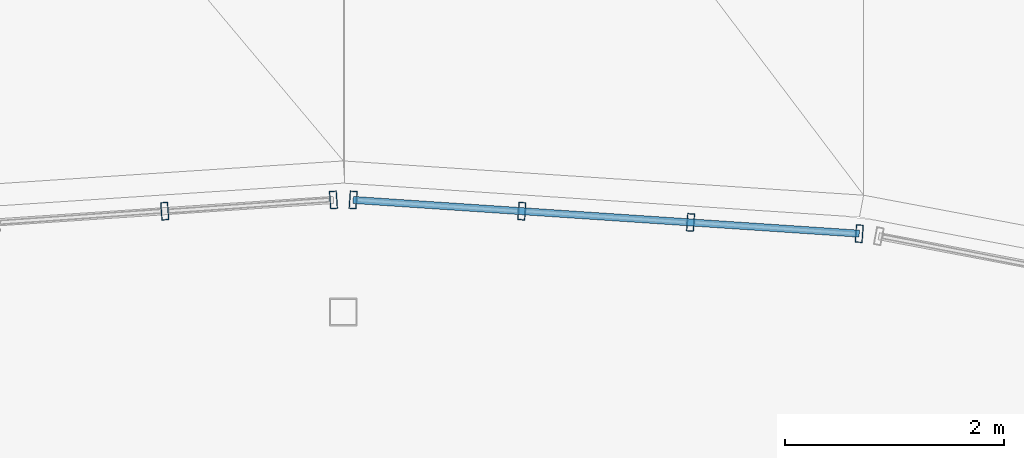
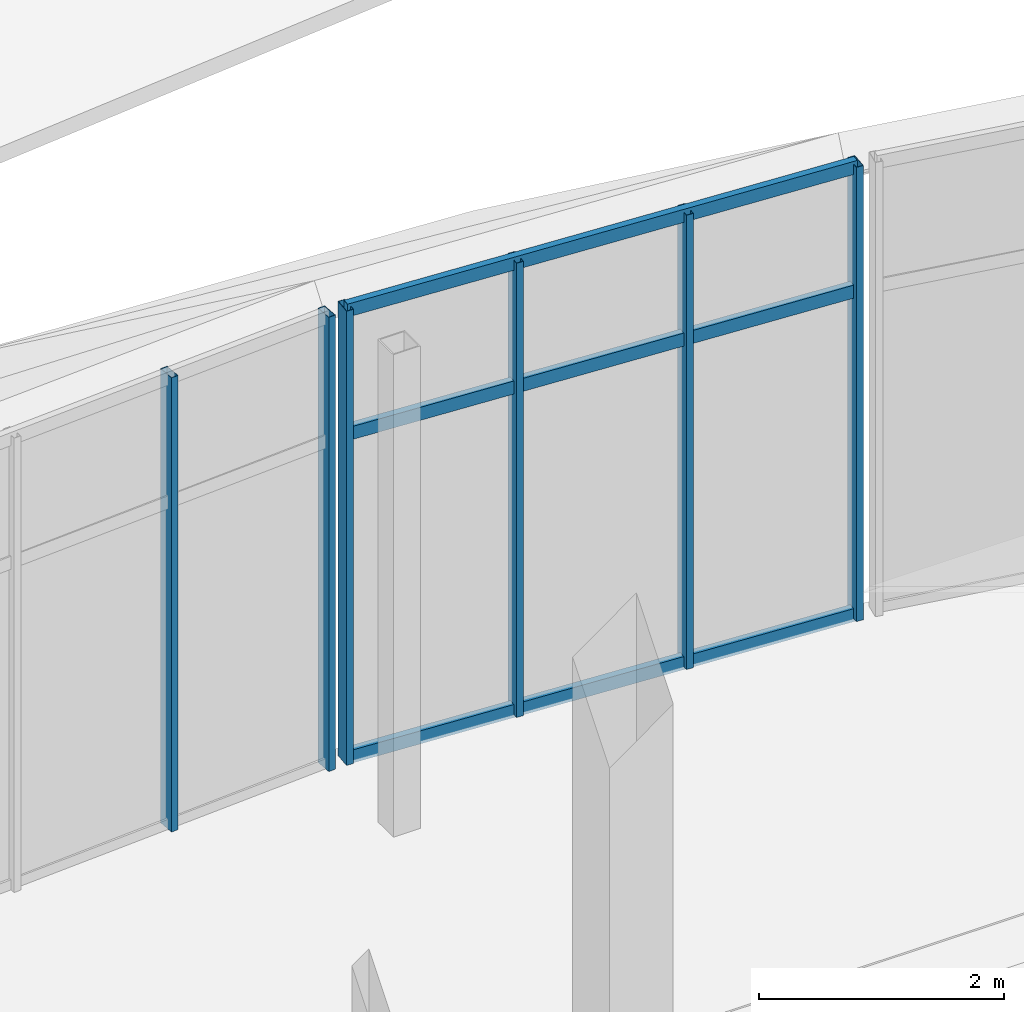
# One storey, part 33 of 116: 9 members, 2 elements without a shape of their own.
"""IFC4 building model written with IfcOpenShell, lengths in metres."""

from ifc_helpers import new_model, si_unit, direction, frame, origin, origin_2d, place, context, subcontext, project, spatial, hollow_rectangle, extrude, material, layer, layer_set, material_profile, profile_set, type_object, element, aggregate, save


model = new_model("IFC4")

# Units and contexts
model_context = context("Model", 3, precision=1e-05, world=origin(), true_north=direction((0.0, 1.0)))
body_context = subcontext(model_context, "Body", "Model", "MODEL_VIEW")
ifc_project = project(units=[si_unit("LENGTHUNIT", "METRE"), si_unit("AREAUNIT", "SQUARE_METRE"), si_unit("VOLUMEUNIT", "CUBIC_METRE"), si_unit("PLANEANGLEUNIT", "RADIAN"), si_unit("MASSUNIT", "GRAM", prefix="KILO")], contexts=[model_context])

# Site, building, storey
site_placement = place(None, origin())
site = spatial("IfcSite", under=ifc_project, at=site_placement, CompositionType="ELEMENT")
building_placement = place(site_placement, origin())
building = spatial("IfcBuilding", under=site, at=building_placement, Name="Chalmorin Arch Market", CompositionType="ELEMENT")
storey_placement = place(building_placement, origin())
storey = spatial("IfcBuildingStorey", under=building, at=storey_placement, Name="L00", CompositionType="ELEMENT", Elevation=0.0)

# Curtain wall, members
ifc_material = material(Name="Aluminium 6063-T6", Category="aluminium")
ifc_layer = layer(ifc_material, 0.159912109375)
ifc_layer_set = layer_set([ifc_layer], Name="Aluminium 6063-T6")
curtain_wall_type = type_object("IfcCurtainWallType", Name="RiverfrontStorefrontCurtainWall-CW2-4630x4520", PredefinedType="NOTDEFINED", material=ifc_layer_set)
curtain_wall_1_placement = place(storey_placement, origin())
curtain_wall_1 = element("IfcCurtainWall", 1, at=curtain_wall_1_placement, inside=storey, type_object=curtain_wall_type, Name="CW-02-078", PredefinedType="NOTDEFINED")
ifc_material_profile_1 = material_profile(ifc_material, hollow_rectangle(XDim=0.06494140625, YDim=0.159912109375, WallThickness=0.00390625, at=origin_2d()), Name="ALU65X160X4")
ifc_profile_set_1 = profile_set([ifc_material_profile_1], Name="Aluminium 6063-T6")
member_type_1 = type_object("IfcMemberType", Name="CurtainWallMullion-65x160", PredefinedType="MULLION", material=ifc_profile_set_1)
member_1_placement = place(storey_placement, frame((17.570068359375, 54.5712890625, 0.0), z_axis=(0.0, 0.0, 1.0), x_axis=(0.99756405026, 0.069756473744, 0.0)))
member_1 = element("IfcMember", 2, at=member_1_placement, type_object=member_type_1, Name="ML-078-03", PredefinedType="MULLION", context=body_context, shape_type="SweptSolid", body=[
    extrude(hollow_rectangle(XDim=0.06494140625, YDim=0.159912109375, WallThickness=0.00390625, at=origin_2d()), origin(), (0.0, 0.0, 1.0), 4.52001953125),
])
member_2_placement = place(storey_placement, frame((19.110107421875, 54.674072265625, 0.0), z_axis=(0.0, 0.0, 1.0), x_axis=(0.99756405026, 0.069756473744, 0.0)))
member_2 = element("IfcMember", 3, at=member_2_placement, type_object=member_type_1, Name="ML-078-04", PredefinedType="MULLION", context=body_context, shape_type="SweptSolid", body=[
    extrude(hollow_rectangle(XDim=0.06494140625, YDim=0.159912109375, WallThickness=0.00390625, at=origin_2d()), origin(), (0.0, 0.0, 1.0), 4.52001953125),
])
aggregate(curtain_wall_1, [member_1, member_2])

curtain_wall_2_placement = place(storey_placement, origin())
curtain_wall_2 = element("IfcCurtainWall", 4, at=curtain_wall_2_placement, inside=storey, type_object=curtain_wall_type, Name="CW-02-081", PredefinedType="NOTDEFINED")
member_3_placement = place(storey_placement, frame((19.289794921875, 54.674072265625, 0.0), z_axis=(0.0, 0.0, 1.0), x_axis=(0.99756405026, -0.069756473744, 0.0)))
member_3 = element("IfcMember", 5, at=member_3_placement, type_object=member_type_1, Name="ML-081-01", PredefinedType="MULLION", context=body_context, shape_type="SweptSolid", body=[
    extrude(hollow_rectangle(XDim=0.06494140625, YDim=0.159912109375, WallThickness=0.00390625, at=origin_2d()), origin(), (0.0, 0.0, 1.0), 4.52001953125),
])
member_4_placement = place(storey_placement, frame((20.829833984375, 54.5712890625, 0.0), z_axis=(0.0, 0.0, 1.0), x_axis=(0.99756405026, -0.069756473744, 0.0)))
member_4 = element("IfcMember", 6, at=member_4_placement, type_object=member_type_1, Name="ML-081-02", PredefinedType="MULLION", context=body_context, shape_type="SweptSolid", body=[
    extrude(hollow_rectangle(XDim=0.06494140625, YDim=0.159912109375, WallThickness=0.00390625, at=origin_2d()), origin(), (0.0, 0.0, 1.0), 4.52001953125),
])
member_5_placement = place(storey_placement, frame((22.3701171875, 54.46875, 0.0), z_axis=(0.0, 0.0, 1.0), x_axis=(0.99756405026, -0.069756473744, 0.0)))
member_5 = element("IfcMember", 7, at=member_5_placement, type_object=member_type_1, Name="ML-081-03", PredefinedType="MULLION", context=body_context, shape_type="SweptSolid", body=[
    extrude(hollow_rectangle(XDim=0.06494140625, YDim=0.159912109375, WallThickness=0.00390625, at=origin_2d()), origin(), (0.0, 0.0, 1.0), 4.52001953125),
])
member_6_placement = place(storey_placement, frame((23.91015625, 54.365966796875, 0.0), z_axis=(0.0, 0.0, 1.0), x_axis=(0.99756405026, -0.069756473744, 0.0)))
member_6 = element("IfcMember", 8, at=member_6_placement, type_object=member_type_1, Name="ML-081-04", PredefinedType="MULLION", context=body_context, shape_type="SweptSolid", body=[
    extrude(hollow_rectangle(XDim=0.06494140625, YDim=0.159912109375, WallThickness=0.00390625, at=origin_2d()), origin(), (0.0, 0.0, 1.0), 4.52001953125),
])
ifc_material_profile_2 = material_profile(ifc_material, hollow_rectangle(XDim=0.06494140625, YDim=0.1298828125, WallThickness=0.00390625, at=origin_2d()), Name="ALU65X130X4")
ifc_profile_set_2 = profile_set([ifc_material_profile_2], Name="Aluminium 6063-T6")
member_type_2 = type_object("IfcMemberType", Name="CurtainWallTransom-65x130", PredefinedType="USERDEFINED", material=ifc_profile_set_2)
member_7_placement = place(storey_placement, frame((19.289794921875, 54.674072265625, 0.034912109375), z_axis=(0.997783991264, -0.066536507106, 0.0), x_axis=(0.066536507106, 0.997783991264, 0.0)))
member_7 = element("IfcMember", 9, at=member_7_placement, type_object=member_type_2, Name="TR-081-01", ObjectType="TRANSOM", PredefinedType="USERDEFINED", context=body_context, shape_type="SweptSolid", body=[
    extrude(hollow_rectangle(XDim=0.06494140625, YDim=0.1298828125, WallThickness=0.00390625, at=origin_2d()), origin(), (0.0, 0.0, 1.0), 4.630615234375),
])
member_8_placement = place(storey_placement, frame((19.289794921875, 54.674072265625, 3.25439453125), z_axis=(0.997783991264, -0.066536507106, 0.0), x_axis=(0.066536507106, 0.997783991264, 0.0)))
member_8 = element("IfcMember", 10, at=member_8_placement, type_object=member_type_2, Name="TR-081-02", ObjectType="TRANSOM", PredefinedType="USERDEFINED", context=body_context, shape_type="SweptSolid", body=[
    extrude(hollow_rectangle(XDim=0.06494140625, YDim=0.1298828125, WallThickness=0.00390625, at=origin_2d()), origin(), (0.0, 0.0, 1.0), 4.630615234375),
])
member_9_placement = place(storey_placement, frame((19.289794921875, 54.674072265625, 4.485107421875), z_axis=(0.997783991264, -0.066536507106, 0.0), x_axis=(0.066536507106, 0.997783991264, 0.0)))
member_9 = element("IfcMember", 11, at=member_9_placement, type_object=member_type_2, Name="TR-081-03", ObjectType="TRANSOM", PredefinedType="USERDEFINED", context=body_context, shape_type="SweptSolid", body=[
    extrude(hollow_rectangle(XDim=0.06494140625, YDim=0.1298828125, WallThickness=0.00390625, at=origin_2d()), origin(), (0.0, 0.0, 1.0), 4.630615234375),
])
aggregate(curtain_wall_2, [member_3, member_4, member_5, member_6, member_7, member_8, member_9])

save(model, "model.ifc")
